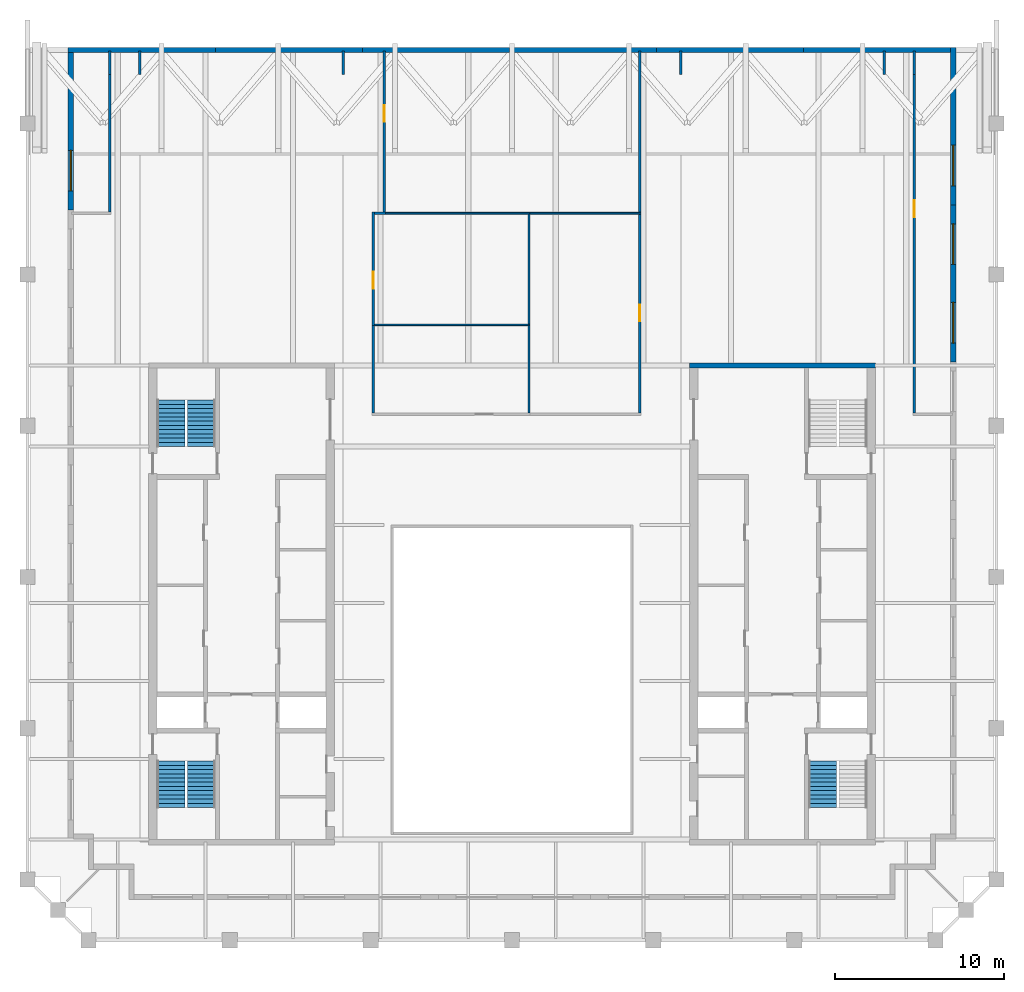
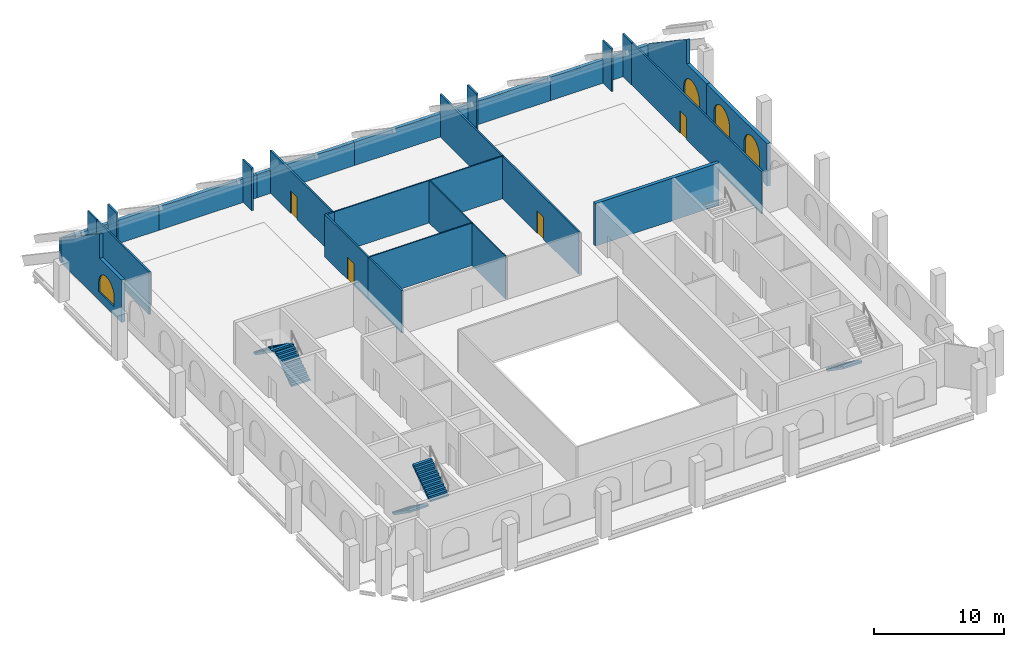
# One storey, part 6 of 8: 29 walls, 5 stair flights, 4 doors, 4 windows, 8 openings, 3 elements without a shape of their own.
"""IFC4 building model written with IfcOpenShell, lengths in metres."""

from ifc_helpers import new_model, si_unit, direction, frame, frame_2d, origin, place, context, subcontext, project, spatial, polyline, rectangle, outline, extrude, material, layer, layer_set, type_object, element, fill, aggregate, save


model = new_model("IFC4")

# Units and contexts
model_context = context("Model", 3, precision=1e-05, world=origin(), true_north=direction((0.0, 1.0)))
body_context = subcontext(model_context, "Body", "Model", "MODEL_VIEW")
ifc_project = project(units=[si_unit("LENGTHUNIT", "METRE"), si_unit("AREAUNIT", "SQUARE_METRE"), si_unit("VOLUMEUNIT", "CUBIC_METRE"), si_unit("PLANEANGLEUNIT", "RADIAN"), si_unit("MASSUNIT", "GRAM", prefix="KILO")], contexts=[model_context])

# Site, building, storey
site_placement = place(None, origin())
site = spatial("IfcSite", under=ifc_project, at=site_placement, CompositionType="ELEMENT")
building_placement = place(site_placement, origin())
building = spatial("IfcBuilding", under=site, at=building_placement, Name="Ogive Exchange Tower", CompositionType="ELEMENT")
storey_placement = place(building_placement, frame((0.0, 0.0, 377.39990234375)))
storey = spatial("IfcBuildingStorey", under=building, at=storey_placement, Name="C03", CompositionType="ELEMENT", Elevation=377.39990234375)

# Walls
ifc_material_1 = material(Name="Fire partition EI 60 150")
ifc_layer_1 = layer(ifc_material_1, 0.14990234375)
ifc_layer_set_1 = layer_set([ifc_layer_1], Name="Fire partition EI 60 150")
wall_type_1 = type_object("IfcWallType", Name="Fire partition EI 60 150", PredefinedType="PARTITIONING", material=ifc_layer_set_1)
wall_1_placement = place(storey_placement, frame((-23.800048828125, 34.675048828125, 0.0), z_axis=(0.0, 0.0, 1.0), x_axis=(0.0, 1.0, 0.0)))
element("IfcWall", 1, at=wall_1_placement, inside=storey, type_object=wall_type_1, Name="C03-PWL-002", PredefinedType="PARTITIONING", context=body_context, shape_type="SweptSolid", body=[
    extrude(rectangle(XDim=8.125, YDim=0.14990234375, at=frame_2d((4.0625, 0.0))), origin(), (0.0, 0.0, 1.0), 4.0),
])
for number, where, z_axis, x_axis, name in (
    (2, (-23.7900390625, 42.800048828125, 0.0), (0.0, 0.0, 1.0), (0.0, 1.0, 0.0), "C03-PWL-003"),
    (3, (-22.010009765625, 44.200927734375, 0.0), (0.0, 0.0, 1.0), (0.0, -1.0, 0.0), "C03-PWL-004"),
    (4, (-9.989990234375, 42.800048828125, 0.0), (0.0, 0.0, 1.0), (0.0, 1.0, 0.0), "C03-PWL-005"),
):
    element("IfcWall", number, at=place(storey_placement, frame(where, z_axis=z_axis, x_axis=x_axis)), inside=storey, type_object=wall_type_1, Name=name, PredefinedType="PARTITIONING", context=body_context, shape_type="SweptSolid", body=[
        extrude(rectangle(XDim=1.40087890625, YDim=0.14990234375, at=frame_2d((0.700439453125, 0.0))), origin(), (0.0, 0.0, 1.0), 4.0),
    ])
wall_2_placement = place(storey_placement, frame((-8.199951171875, 27.949951171875, 0.0), z_axis=(0.0, 0.0, 1.0), x_axis=(0.0, -1.0, 0.0)))
element("IfcWall", 5, at=wall_2_placement, inside=storey, type_object=wall_type_1, Name="C03-PWL-007", PredefinedType="PARTITIONING", context=body_context, shape_type="SweptSolid", body=[
    extrude(rectangle(XDim=5.155029296875, YDim=0.14990234375, at=frame_2d((2.57763671875, 0.0))), origin(), (0.0, 0.0, 1.0), 4.0),
])

# Wall, opening, door
wall_3_placement = place(storey_placement, frame((-8.199951171875, 34.675048828125, 0.0), z_axis=(0.0, 0.0, 1.0), x_axis=(0.0, -1.0, 0.0)))
wall_3 = element("IfcWall", 6, at=wall_3_placement, inside=storey, type_object=wall_type_1, Name="C03-PWL-008", PredefinedType="PARTITIONING", context=body_context, shape_type="SweptSolid", body=[
    extrude(rectangle(XDim=6.72509765625, YDim=0.14990234375, at=frame_2d((3.362548828125, 0.0))), origin(), (0.0, 0.0, 1.0), 4.0),
])
opening_1_placement = place(wall_3_placement, frame((3.52490234375, 0.0, 0.0)))
opening_1 = element("IfcOpeningElement", 7, at=opening_1_placement, cuts=wall_3, Name="Opening C03-I02", PredefinedType="OPENING", context=body_context, shape_type="SweptSolid", body=[
    extrude(rectangle(XDim=1.0, YDim=2.10009765625, at=frame_2d((0.5, 1.050048828125))), frame((0.0, 0.0849609375, 0.0), z_axis=(0.0, -1.0, 0.0), x_axis=(1.0, 0.0, 0.0)), (0.0, 0.0, 1.0), 0.169921875),
])
ifc_material_2 = material(Name="Fire door FD 30S 1000 x 2100")
door_type = type_object("IfcDoorType", Name="Fire door FD 30S 1000 x 2100", OperationType="NOTDEFINED", PredefinedType="DOOR", material=ifc_material_2)
door_1_placement = place(opening_1_placement, origin())
door_1 = element("IfcDoor", 8, at=door_1_placement, inside=storey, type_object=door_type, Name="C03-IDR-002", ObjectType="DT3", OperationType="SINGLE_SWING_LEFT", OverallHeight=2.10009765625, OverallWidth=1.0, PredefinedType="DOOR", context=body_context, shape_type="SweptSolid", body=[
    extrude(rectangle(XDim=1.0, YDim=2.10009765625, at=frame_2d((0.5, 1.050048828125))), frame((0.0, 0.02490234375, 0.0), z_axis=(0.0, -1.0, 0.0), x_axis=(1.0, 0.0, 0.0)), (0.0, 0.0, 1.0), 0.050048828125),
])
fill(opening_1, door_1)

# Wall
wall_4_placement = place(storey_placement, frame((-7.47509765625, 34.60009765625, 0.0), z_axis=(0.0, 0.0, 1.0), x_axis=(-1.0, 0.0, 0.0)))
element("IfcWall", 9, at=wall_4_placement, inside=storey, type_object=wall_type_1, Name="C03-PWL-009", PredefinedType="PARTITIONING", context=body_context, shape_type="SweptSolid", body=[
    extrude(rectangle(XDim=0.64990234375, YDim=0.14990234375, at=frame_2d((0.324951171875, 0.0))), origin(), (0.0, 0.0, 1.0), 4.0),
])

# Wall, opening, door
wall_5_placement = place(storey_placement, frame((-7.550048828125, 44.200927734375, 0.0), z_axis=(0.0, 0.0, 1.0), x_axis=(0.0, -1.0, 0.0)))
wall_5 = element("IfcWall", 10, at=wall_5_placement, inside=storey, type_object=wall_type_1, Name="C03-PWL-011", PredefinedType="PARTITIONING", context=body_context, shape_type="SweptSolid", body=[
    extrude(rectangle(XDim=9.52587890625, YDim=0.14990234375, at=frame_2d((4.762939453125, 0.0))), origin(), (0.0, 0.0, 1.0), 4.0),
])
opening_2_placement = place(wall_5_placement, frame((3.200927734375, 0.0, 0.0)))
opening_2 = element("IfcOpeningElement", 11, at=opening_2_placement, cuts=wall_5, Name="Opening C03-I05", PredefinedType="OPENING", context=body_context, shape_type="SweptSolid", body=[
    extrude(rectangle(XDim=1.0, YDim=2.10009765625, at=frame_2d((0.5, 1.050048828125))), frame((0.0, 0.0849609375, 0.0), z_axis=(0.0, -1.0, 0.0), x_axis=(1.0, 0.0, 0.0)), (0.0, 0.0, 1.0), 0.169921875),
])
door_2_placement = place(opening_2_placement, origin())
door_2 = element("IfcDoor", 12, at=door_2_placement, inside=storey, type_object=door_type, Name="C03-IDR-005", ObjectType="DT3", OperationType="SINGLE_SWING_RIGHT", OverallHeight=2.10009765625, OverallWidth=1.0, PredefinedType="DOOR", context=body_context, shape_type="SweptSolid", body=[
    extrude(rectangle(XDim=1.0, YDim=2.10009765625, at=frame_2d((0.5, 1.050048828125))), frame((0.0, 0.02490234375, 0.0), z_axis=(0.0, -1.0, 0.0), x_axis=(1.0, 0.0, 0.0)), (0.0, 0.0, 1.0), 0.050048828125),
])
fill(opening_2, door_2)

wall_6_placement = place(storey_placement, frame((7.550048828125, 22.794921875, 0.0), z_axis=(0.0, 0.0, 1.0), x_axis=(0.0, 1.0, 0.0)))
wall_6 = element("IfcWall", 13, at=wall_6_placement, inside=storey, type_object=wall_type_1, Name="C03-PWL-017", PredefinedType="PARTITIONING", context=body_context, shape_type="SweptSolid", body=[
    extrude(rectangle(XDim=11.755126953125, YDim=0.14990234375, at=frame_2d((5.87744140625, 0.0))), origin(), (0.0, 0.0, 1.0), 4.0),
])
opening_3_placement = place(wall_6_placement, frame((5.405029296875, 0.0, 0.0)))
opening_3 = element("IfcOpeningElement", 14, at=opening_3_placement, cuts=wall_6, Name="Opening C03-I04", PredefinedType="OPENING", context=body_context, shape_type="SweptSolid", body=[
    extrude(rectangle(XDim=1.0, YDim=2.10009765625, at=frame_2d((0.5, 1.050048828125))), frame((0.0, 0.0849609375, 0.0), z_axis=(0.0, -1.0, 0.0), x_axis=(1.0, 0.0, 0.0)), (0.0, 0.0, 1.0), 0.169921875),
])
door_3_placement = place(opening_3_placement, origin())
door_3 = element("IfcDoor", 15, at=door_3_placement, inside=storey, type_object=door_type, Name="C03-IDR-004", ObjectType="DT3", OperationType="SINGLE_SWING_LEFT", OverallHeight=2.10009765625, OverallWidth=1.0, PredefinedType="DOOR", context=body_context, shape_type="SweptSolid", body=[
    extrude(rectangle(XDim=1.0, YDim=2.10009765625, at=frame_2d((0.5, 1.050048828125))), frame((0.0, 0.02490234375, 0.0), z_axis=(0.0, -1.0, 0.0), x_axis=(1.0, 0.0, 0.0)), (0.0, 0.0, 1.0), 0.050048828125),
])
fill(opening_3, door_3)

# Walls
wall_7_placement = place(storey_placement, frame((7.550048828125, 34.64990234375, 0.0), z_axis=(0.0, 0.0, 1.0), x_axis=(0.0, 1.0, 0.0)))
element("IfcWall", 16, at=wall_7_placement, inside=storey, type_object=wall_type_1, Name="C03-PWL-018", PredefinedType="PARTITIONING", context=body_context, shape_type="SweptSolid", body=[
    extrude(rectangle(XDim=9.551025390625, YDim=0.14990234375, at=frame_2d((4.775390625, 0.0))), origin(), (0.0, 0.0, 1.0), 4.0),
])
for number, where, z_axis, x_axis, name in (
    (17, (9.989990234375, 44.200927734375, 0.0), (0.0, 0.0, 1.0), (0.0, -1.0, 0.0), "C03-PWL-019"),
    (18, (22.010009765625, 42.800048828125, 0.0), (0.0, 0.0, 1.0), (0.0, 1.0, 0.0), "C03-PWL-020"),
    (19, (23.7900390625, 44.200927734375, 0.0), (0.0, 0.0, 1.0), (0.0, -1.0, 0.0), "C03-PWL-021"),
):
    element("IfcWall", number, at=place(storey_placement, frame(where, z_axis=z_axis, x_axis=x_axis)), inside=storey, type_object=wall_type_1, Name=name, PredefinedType="PARTITIONING", context=body_context, shape_type="SweptSolid", body=[
        extrude(rectangle(XDim=1.40087890625, YDim=0.14990234375, at=frame_2d((0.700439453125, 0.0))), origin(), (0.0, 0.0, 1.0), 4.0),
    ])

# Wall, opening, door
wall_8_placement = place(storey_placement, frame((23.800048828125, 42.800048828125, 0.0), z_axis=(0.0, 0.0, 1.0), x_axis=(0.0, -1.0, 0.0)))
wall_8 = element("IfcWall", 20, at=wall_8_placement, inside=storey, type_object=wall_type_1, Name="C03-PWL-023", PredefinedType="PARTITIONING", context=body_context, shape_type="SweptSolid", body=[
    extrude(rectangle(XDim=20.005126953125, YDim=0.14990234375, at=frame_2d((10.00244140625, 0.0))), origin(), (0.0, 0.0, 1.0), 4.0),
])
opening_4_placement = place(wall_8_placement, frame((7.429931640625, 0.0, 0.0)))
opening_4 = element("IfcOpeningElement", 21, at=opening_4_placement, cuts=wall_8, Name="Opening C03-I01", PredefinedType="OPENING", context=body_context, shape_type="SweptSolid", body=[
    extrude(rectangle(XDim=1.0, YDim=2.10009765625, at=frame_2d((0.5, 1.050048828125))), frame((0.0, 0.0849609375, 0.0), z_axis=(0.0, -1.0, 0.0), x_axis=(1.0, 0.0, 0.0)), (0.0, 0.0, 1.0), 0.169921875),
])
door_4_placement = place(opening_4_placement, origin())
door_4 = element("IfcDoor", 22, at=door_4_placement, inside=storey, type_object=door_type, Name="C03-IDR-001", ObjectType="DT3", OperationType="SINGLE_SWING_RIGHT", OverallHeight=2.10009765625, OverallWidth=1.0, PredefinedType="DOOR", context=body_context, shape_type="SweptSolid", body=[
    extrude(rectangle(XDim=1.0, YDim=2.10009765625, at=frame_2d((0.5, 1.050048828125))), frame((0.0, 0.02490234375, 0.0), z_axis=(0.0, -1.0, 0.0), x_axis=(1.0, 0.0, 0.0)), (0.0, 0.0, 1.0), 0.050048828125),
])
fill(opening_4, door_4)

# Walls
ifc_material_3 = material(Name="Partition 100 gypsum")
ifc_layer_2 = layer(ifc_material_3, 0.10009765625)
ifc_layer_set_2 = layer_set([ifc_layer_2], Name="Partition 100 gypsum")
wall_type_2 = type_object("IfcWallType", Name="Partition 100 gypsum", PredefinedType="PARTITIONING", material=ifc_layer_set_2)
wall_9_placement = place(storey_placement, frame((-7.47509765625, 34.60009765625, 0.0), z_axis=(0.0, 0.0, 1.0), x_axis=(1.0, 0.0, 0.0)))
element("IfcWall", 23, at=wall_9_placement, inside=storey, type_object=wall_type_2, Name="C03-PWL-010", PredefinedType="PARTITIONING", context=body_context, shape_type="SweptSolid", body=[
    extrude(rectangle(XDim=8.525146484375, YDim=0.10009765625, at=frame_2d((4.2626953125, 0.0))), origin(), (0.0, 0.0, 1.0), 4.0),
])
wall_10_placement = place(storey_placement, frame((1.050048828125, 28.0, 0.0), z_axis=(0.0, 0.0, 1.0), x_axis=(-1.0, 0.0, 0.0)))
element("IfcWall", 24, at=wall_10_placement, inside=storey, type_object=wall_type_2, Name="C03-PWL-013", PredefinedType="PARTITIONING", context=body_context, shape_type="SweptSolid", body=[
    extrude(rectangle(XDim=9.175048828125, YDim=0.10009765625, at=frame_2d((4.58740234375, 0.0))), origin(), (0.0, 0.0, 1.0), 4.0),
])
wall_11_placement = place(storey_placement, frame((1.0, 27.949951171875, 0.0), z_axis=(0.0, 0.0, 1.0), x_axis=(0.0, -1.0, 0.0)))
element("IfcWall", 25, at=wall_11_placement, inside=storey, type_object=wall_type_2, Name="C03-PWL-014", PredefinedType="PARTITIONING", context=body_context, shape_type="SweptSolid", body=[
    extrude(rectangle(XDim=5.155029296875, YDim=0.10009765625, at=frame_2d((2.57763671875, 0.0))), origin(), (0.0, 0.0, 1.0), 4.0),
])
wall_12_placement = place(storey_placement, frame((1.0, 34.550048828125, 0.0), z_axis=(0.0, 0.0, 1.0), x_axis=(0.0, -1.0, 0.0)))
element("IfcWall", 26, at=wall_12_placement, inside=storey, type_object=wall_type_2, Name="C03-PWL-015", PredefinedType="PARTITIONING", context=body_context, shape_type="SweptSolid", body=[
    extrude(rectangle(XDim=6.5, YDim=0.10009765625, at=frame_2d((3.25, 0.0))), origin(), (0.0, 0.0, 1.0), 4.0),
])
wall_13_placement = place(storey_placement, frame((1.050048828125, 34.60009765625, 0.0), z_axis=(0.0, 0.0, 1.0), x_axis=(1.0, 0.0, 0.0)))
element("IfcWall", 27, at=wall_13_placement, inside=storey, type_object=wall_type_2, Name="C03-PWL-016", PredefinedType="PARTITIONING", context=body_context, shape_type="SweptSolid", body=[
    extrude(rectangle(XDim=6.574951171875, YDim=0.10009765625, at=frame_2d((3.28759765625, 0.0))), origin(), (0.0, 0.0, 1.0), 4.0),
])
ifc_material_4 = material(Name="Concrete C70/85", Category="concrete")
ifc_layer_3 = layer(ifc_material_4, 0.300048828125)
ifc_layer_set_3 = layer_set([ifc_layer_3], Name="RC core wall 300 C70/85")
wall_type_3 = type_object("IfcWallType", Name="RC core wall 300 C70/85", PredefinedType="SHEAR", material=ifc_layer_set_3)
wall_14_placement = place(storey_placement, frame((10.5, 25.60009765625, 0.0), z_axis=(0.0, 0.0, 1.0), x_axis=(1.0, 0.0, 0.0)))
element("IfcWall", 28, at=wall_14_placement, inside=storey, type_object=wall_type_3, Name="E north end wall", PredefinedType="SHEAR", context=body_context, shape_type="SweptSolid", body=[
    extrude(rectangle(XDim=11.0, YDim=0.300048828125, at=frame_2d((5.5, 0.0))), origin(), (0.0, 0.0, 1.0), 4.0),
])

# Wall, openings, windows
ifc_material_5 = material(Name="Precast concrete C40/50", Category="concrete")
ifc_layer_4 = layer(ifc_material_5, 0.300048828125)
ifc_layer_set_4 = layer_set([ifc_layer_4], Name="Zinc-clad crown wall 300")
wall_type_4 = type_object("IfcWallType", Name="Zinc-clad crown wall 300", PredefinedType="STANDARD", material=ifc_layer_set_4)
wall_15_placement = place(storey_placement, frame((26.10009765625, 25.80078125, 0.0), z_axis=(0.0, 0.0, 1.0), x_axis=(0.0, 1.0, 0.0)))
wall_15 = element("IfcWall", 29, at=wall_15_placement, inside=storey, type_object=wall_type_4, Name="Crown wall 16", PredefinedType="STANDARD", context=body_context, shape_type="SweptSolid", body=[
    extrude(rectangle(XDim=9.300048828125, YDim=0.300048828125, at=frame_2d((4.64990234375, 0.0))), origin(), (0.0, 0.0, 1.0), 4.0),
])
opening_5_placement = place(wall_15_placement, frame((1.125, 0.0, 0.800048828125)))
opening_5 = element("IfcOpeningElement", 30, at=opening_5_placement, cuts=wall_15, Name="Opening WC25", PredefinedType="OPENING", context=body_context, shape_type="SweptSolid", body=[
    extrude(outline(polyline([(0.0, 0.0), (2.39990234375, 0.0), (2.39990234375, 1.25), (2.377197265625, 1.48779296875), (2.3095703125, 1.717041015625), (2.19970703125, 1.928955078125), (2.05126953125, 2.116455078125), (1.8701171875, 2.272216796875), (1.662841796875, 2.390625), (1.4365234375, 2.467529296875), (1.199951171875, 2.5), (0.96337890625, 2.467529296875), (0.737060546875, 2.390625), (0.52978515625, 2.272216796875), (0.3486328125, 2.116455078125), (0.2001953125, 1.928955078125), (0.09033203125, 1.717041015625), (0.022705078125, 1.48779296875), (0.0, 1.25), (0.0, 0.0)])), frame((0.0, 0.159912109375, 0.0), z_axis=(0.0, -1.0, 0.0), x_axis=(1.0, 0.0, 0.0)), (0.0, 0.0, 1.0), 0.320068359375),
])
opening_6_placement = place(wall_15_placement, frame((5.775146484375, 0.0, 0.800048828125)))
opening_6 = element("IfcOpeningElement", 31, at=opening_6_placement, cuts=wall_15, Name="Opening WC25", PredefinedType="OPENING", context=body_context, shape_type="SweptSolid", body=[
    extrude(outline(polyline([(0.0, 0.0), (2.39990234375, 0.0), (2.39990234375, 1.25), (2.377197265625, 1.48779296875), (2.3095703125, 1.717041015625), (2.19970703125, 1.928955078125), (2.05126953125, 2.116455078125), (1.8701171875, 2.272216796875), (1.662841796875, 2.390625), (1.4365234375, 2.467529296875), (1.199951171875, 2.5), (0.96337890625, 2.467529296875), (0.737060546875, 2.390625), (0.52978515625, 2.272216796875), (0.3486328125, 2.116455078125), (0.2001953125, 1.928955078125), (0.09033203125, 1.717041015625), (0.022705078125, 1.48779296875), (0.0, 1.25), (0.0, 0.0)])), frame((0.0, 0.159912109375, 0.0), z_axis=(0.0, -1.0, 0.0), x_axis=(1.0, 0.0, 0.0)), (0.0, 0.0, 1.0), 0.320068359375),
])
ifc_material_6 = material(Name="Clear glass in bronze frame", Category="glass")
window_type_1 = type_object("IfcWindowType", Name="Crown lancet window 2400 x 2500", PartitioningType="DOUBLE_PANEL_VERTICAL", PredefinedType="WINDOW", material=ifc_material_6)
window_1_placement = place(opening_5_placement, origin())
window_1 = element("IfcWindow", 32, at=window_1_placement, inside=storey, type_object=window_type_1, Name="Crown lancet 16.1", OverallHeight=2.5, OverallWidth=2.39990234375, PartitioningType="DOUBLE_PANEL_VERTICAL", PredefinedType="WINDOW", context=body_context, shape_type="SweptSolid", body=[
    extrude(outline(polyline([(0.0, 0.0), (2.39990234375, 0.0), (2.39990234375, 1.25), (2.377197265625, 1.48779296875), (2.3095703125, 1.717041015625), (2.19970703125, 1.928955078125), (2.05126953125, 2.116455078125), (1.8701171875, 2.272216796875), (1.662841796875, 2.390625), (1.4365234375, 2.467529296875), (1.199951171875, 2.5), (0.96337890625, 2.467529296875), (0.737060546875, 2.390625), (0.52978515625, 2.272216796875), (0.3486328125, 2.116455078125), (0.2001953125, 1.928955078125), (0.09033203125, 1.717041015625), (0.022705078125, 1.48779296875), (0.0, 1.25), (0.0, 0.0)])), frame((0.0, 0.030029296875, 0.0), z_axis=(0.0, -1.0, 0.0), x_axis=(1.0, 0.0, 0.0)), (0.0, 0.0, 1.0), 0.06005859375),
])
fill(opening_5, window_1)
window_2_placement = place(opening_6_placement, origin())
window_2 = element("IfcWindow", 33, at=window_2_placement, inside=storey, type_object=window_type_1, Name="Crown lancet 16.2", OverallHeight=2.5, OverallWidth=2.39990234375, PartitioningType="DOUBLE_PANEL_VERTICAL", PredefinedType="WINDOW", context=body_context, shape_type="SweptSolid", body=[
    extrude(outline(polyline([(0.0, 0.0), (2.39990234375, 0.0), (2.39990234375, 1.25), (2.377197265625, 1.48779296875), (2.3095703125, 1.717041015625), (2.19970703125, 1.928955078125), (2.05126953125, 2.116455078125), (1.8701171875, 2.272216796875), (1.662841796875, 2.390625), (1.4365234375, 2.467529296875), (1.199951171875, 2.5), (0.96337890625, 2.467529296875), (0.737060546875, 2.390625), (0.52978515625, 2.272216796875), (0.3486328125, 2.116455078125), (0.2001953125, 1.928955078125), (0.09033203125, 1.717041015625), (0.022705078125, 1.48779296875), (0.0, 1.25), (0.0, 0.0)])), frame((0.0, 0.030029296875, 0.0), z_axis=(0.0, -1.0, 0.0), x_axis=(1.0, 0.0, 0.0)), (0.0, 0.0, 1.0), 0.06005859375),
])
fill(opening_6, window_2)

# Wall, opening, window
wall_16_placement = place(storey_placement, frame((26.10009765625, 35.100830078125, 0.0), z_axis=(0.0, 0.0, 1.0), x_axis=(0.0, 1.0, 0.0)))
wall_16 = element("IfcWall", 34, at=wall_16_placement, inside=storey, type_object=wall_type_4, Name="Crown wall 17", PredefinedType="STANDARD", context=body_context, shape_type="SweptSolid", body=[
    extrude(outline(polyline([(0.0, 0.0), (9.30029296875, 0.0), (9.30029296875, 2.098388671875), (6.481201171875, 4.0), (3.093505859375, 6.28515625), (3.073486328125, 6.2978515625), (3.073486328125, 4.0), (0.0, 4.0), (0.0, 0.0)])), frame((0.0, 0.14990234375, 0.0), z_axis=(0.0, -1.0, 0.0), x_axis=(1.0, 0.0, 0.0)), (0.0, 0.0, 1.0), 0.300048828125),
])
opening_7_placement = place(wall_16_placement, frame((1.125, 0.0, 0.800048828125)))
opening_7 = element("IfcOpeningElement", 35, at=opening_7_placement, cuts=wall_16, Name="Opening WC25A", PredefinedType="OPENING", context=body_context, shape_type="SweptSolid", body=[
    extrude(outline(polyline([(0.0, 0.0), (2.39990234375, 0.0), (2.39990234375, 0.85009765625), (2.377197265625, 1.087890625), (2.3095703125, 1.317138671875), (2.19970703125, 1.529052734375), (2.05126953125, 1.716552734375), (1.8701171875, 1.872314453125), (1.662841796875, 1.99072265625), (1.4365234375, 2.067626953125), (1.199951171875, 2.10009765625), (0.96337890625, 2.067626953125), (0.737060546875, 1.99072265625), (0.52978515625, 1.872314453125), (0.3486328125, 1.716552734375), (0.2001953125, 1.529052734375), (0.09033203125, 1.317138671875), (0.022705078125, 1.087890625), (0.0, 0.85009765625), (0.0, 0.0)])), frame((0.0, 0.159912109375, 0.0), z_axis=(0.0, -1.0, 0.0), x_axis=(1.0, 0.0, 0.0)), (0.0, 0.0, 1.0), 0.320068359375),
])
window_type_2 = type_object("IfcWindowType", Name="Crown lancet window 2400 x 2100", PartitioningType="DOUBLE_PANEL_VERTICAL", PredefinedType="WINDOW", material=ifc_material_6)
window_3_placement = place(opening_7_placement, origin())
window_3 = element("IfcWindow", 36, at=window_3_placement, inside=storey, type_object=window_type_2, Name="Crown lancet 17.1", OverallHeight=2.10009765625, OverallWidth=2.39990234375, PartitioningType="DOUBLE_PANEL_VERTICAL", PredefinedType="WINDOW", context=body_context, shape_type="SweptSolid", body=[
    extrude(outline(polyline([(0.0, 0.0), (2.39990234375, 0.0), (2.39990234375, 0.85009765625), (2.377197265625, 1.087890625), (2.3095703125, 1.317138671875), (2.19970703125, 1.529052734375), (2.05126953125, 1.716552734375), (1.8701171875, 1.872314453125), (1.662841796875, 1.99072265625), (1.4365234375, 2.067626953125), (1.199951171875, 2.10009765625), (0.96337890625, 2.067626953125), (0.737060546875, 1.99072265625), (0.52978515625, 1.872314453125), (0.3486328125, 1.716552734375), (0.2001953125, 1.529052734375), (0.09033203125, 1.317138671875), (0.022705078125, 1.087890625), (0.0, 0.85009765625), (0.0, 0.0)])), frame((0.0, 0.030029296875, 0.0), z_axis=(0.0, -1.0, 0.0), x_axis=(1.0, 0.0, 0.0)), (0.0, 0.0, 1.0), 0.06005859375),
])
fill(opening_7, window_3)

# Walls
for number, where, z_axis, x_axis, name in (
    (37, (25.949951171875, 44.251220703125, 0.0), (0.0, 0.0, 1.0), (-1.0, 0.0, 0.0), "Crown wall 18"),
    (38, (17.25, 44.251220703125, 0.0), (0.0, 0.0, 1.0), (-1.0, 0.0, 0.0), "Crown wall 19"),
    (39, (8.550048828125, 44.251220703125, 0.0), (0.0, 0.0, 1.0), (-1.0, 0.0, 0.0), "Crown wall 20"),
):
    element("IfcWall", number, at=place(storey_placement, frame(where, z_axis=z_axis, x_axis=x_axis)), inside=storey, type_object=wall_type_4, Name=name, PredefinedType="STANDARD", context=body_context, shape_type="SweptSolid", body=[
        extrude(rectangle(XDim=8.699951171875, YDim=0.300048828125, at=frame_2d((4.35009765625, 0.0))), origin(), (0.0, 0.0, 1.0), 2.19970703125),
    ])
wall_17_placement = place(storey_placement, frame((-0.14990234375, 44.251220703125, 0.0), z_axis=(0.0, 0.0, 1.0), x_axis=(-1.0, 0.0, 0.0)))
element("IfcWall", 40, at=wall_17_placement, inside=storey, type_object=wall_type_4, Name="Crown wall 21", PredefinedType="STANDARD", context=body_context, shape_type="SweptSolid", body=[
    extrude(rectangle(XDim=8.7001953125, YDim=0.300048828125, at=frame_2d((4.35009765625, 0.0))), origin(), (0.0, 0.0, 1.0), 2.19970703125),
])
for number, where, z_axis, x_axis, name in (
    (41, (-8.85009765625, 44.251220703125, 0.0), (0.0, 0.0, 1.0), (-1.0, 0.0, 0.0), "Crown wall 22"),
    (42, (-17.550048828125, 44.251220703125, 0.0), (0.0, 0.0, 1.0), (-1.0, 0.0, 0.0), "Crown wall 23"),
):
    element("IfcWall", number, at=place(storey_placement, frame(where, z_axis=z_axis, x_axis=x_axis)), inside=storey, type_object=wall_type_4, Name=name, PredefinedType="STANDARD", context=body_context, shape_type="SweptSolid", body=[
        extrude(rectangle(XDim=8.699951171875, YDim=0.300048828125, at=frame_2d((4.35009765625, 0.0))), origin(), (0.0, 0.0, 1.0), 2.19970703125),
    ])

# Wall, opening, window
wall_18_placement = place(storey_placement, frame((-26.10009765625, 44.10107421875, 0.0), z_axis=(0.0, 0.0, 1.0), x_axis=(0.0, -1.0, 0.0)))
wall_18 = element("IfcWall", 43, at=wall_18_placement, inside=storey, type_object=wall_type_4, Name="Crown wall 24", PredefinedType="STANDARD", context=body_context, shape_type="SweptSolid", body=[
    extrude(outline(polyline([(0.0, 0.0), (9.30029296875, 0.0), (9.30029296875, 4.0), (5.9267578125, 4.0), (5.9267578125, 6.2978515625), (5.90673828125, 6.28515625), (2.519287109375, 4.0), (0.0, 2.30078125), (0.0, 0.0)])), frame((0.0, 0.14990234375, 0.0), z_axis=(0.0, -1.0, 0.0), x_axis=(1.0, 0.0, 0.0)), (0.0, 0.0, 1.0), 0.300048828125),
])
opening_8_placement = place(wall_18_placement, frame((5.775146484375, 0.0, 0.800048828125)))
opening_8 = element("IfcOpeningElement", 44, at=opening_8_placement, cuts=wall_18, Name="Opening WC25A", PredefinedType="OPENING", context=body_context, shape_type="SweptSolid", body=[
    extrude(outline(polyline([(0.0, 0.0), (2.39990234375, 0.0), (2.39990234375, 0.85009765625), (2.377197265625, 1.087890625), (2.3095703125, 1.317138671875), (2.19970703125, 1.529052734375), (2.05126953125, 1.716552734375), (1.8701171875, 1.872314453125), (1.662841796875, 1.99072265625), (1.4365234375, 2.067626953125), (1.199951171875, 2.10009765625), (0.96337890625, 2.067626953125), (0.737060546875, 1.99072265625), (0.52978515625, 1.872314453125), (0.3486328125, 1.716552734375), (0.2001953125, 1.529052734375), (0.09033203125, 1.317138671875), (0.022705078125, 1.087890625), (0.0, 0.85009765625), (0.0, 0.0)])), frame((0.0, 0.159912109375, 0.0), z_axis=(0.0, -1.0, 0.0), x_axis=(1.0, 0.0, 0.0)), (0.0, 0.0, 1.0), 0.320068359375),
])
window_4_placement = place(opening_8_placement, origin())
window_4 = element("IfcWindow", 45, at=window_4_placement, inside=storey, type_object=window_type_2, Name="Crown lancet 24.2", OverallHeight=2.10009765625, OverallWidth=2.39990234375, PartitioningType="DOUBLE_PANEL_VERTICAL", PredefinedType="WINDOW", context=body_context, shape_type="SweptSolid", body=[
    extrude(outline(polyline([(0.0, 0.0), (2.39990234375, 0.0), (2.39990234375, 0.85009765625), (2.377197265625, 1.087890625), (2.3095703125, 1.317138671875), (2.19970703125, 1.529052734375), (2.05126953125, 1.716552734375), (1.8701171875, 1.872314453125), (1.662841796875, 1.99072265625), (1.4365234375, 2.067626953125), (1.199951171875, 2.10009765625), (0.96337890625, 2.067626953125), (0.737060546875, 1.99072265625), (0.52978515625, 1.872314453125), (0.3486328125, 1.716552734375), (0.2001953125, 1.529052734375), (0.09033203125, 1.317138671875), (0.022705078125, 1.087890625), (0.0, 0.85009765625), (0.0, 0.0)])), frame((0.0, 0.030029296875, 0.0), z_axis=(0.0, -1.0, 0.0), x_axis=(1.0, 0.0, 0.0)), (0.0, 0.0, 1.0), 0.06005859375),
])
fill(opening_8, window_4)

# Stair, stair flights
ifc_material_7 = material(Name="Concrete C40/50", Category="concrete")
stair_type = type_object("IfcStairType", Name="Exit stair 1650 wide", PredefinedType="HALF_TURN_STAIR", material=ifc_material_7)
stair_1_placement = place(storey_placement, origin())
stair_1 = element("IfcStair", 46, at=stair_1_placement, inside=storey, type_object=stair_type, Name="C03 exit stair ST1", PredefinedType="HALF_TURN_STAIR")
stair_flight_type = type_object("IfcStairFlightType", Name="Stair flight 1650 wide", PredefinedType="STRAIGHT", material=ifc_material_7)
stair_flight_1_placement = place(storey_placement, frame((-20.175048828125, 2.199951171875, 0.0), z_axis=(0.0, 0.0, 1.0), x_axis=(0.0, -1.0, 0.0)))
stair_flight_1 = element("IfcStairFlight", 47, at=stair_flight_1_placement, type_object=stair_flight_type, Name="ST1 flight 1", NumberOfRisers=12, NumberOfTreads=11, PredefinedType="STRAIGHT", RiserHeight=0.175, TreadLength=0.25, context=body_context, shape_type="SweptSolid", body=[
    extrude(outline(polyline([(0.0, 0.0), (0.0, 0.175048828125), (0.25, 0.175048828125), (0.25, 0.35009765625), (0.5, 0.35009765625), (0.5, 0.52490234375), (0.75, 0.52490234375), (0.75, 0.699951171875), (1.0, 0.699951171875), (1.0, 0.875), (1.25, 0.875), (1.25, 1.050048828125), (1.5, 1.050048828125), (1.5, 1.22509765625), (1.75, 1.22509765625), (1.75, 1.39990234375), (2.0, 1.39990234375), (2.0, 1.574951171875), (2.25, 1.574951171875), (2.25, 1.75), (2.5, 1.75), (2.5, 1.925048828125), (2.75, 1.925048828125), (2.75, 2.10009765625), (2.75, 1.741943359375), (0.261474609375, 0.0), (0.0, 0.0)])), frame((0.0, 0.824951171875, 0.0), z_axis=(0.0, -1.0, 0.0), x_axis=(1.0, 0.0, 0.0)), (0.0, 0.0, 1.0), 1.64990234375),
])
stair_flight_2_placement = place(storey_placement, frame((-18.375, -0.550048828125, 2.10009765625), z_axis=(0.0, 0.0, 1.0), x_axis=(0.0, 1.0, 0.0)))
stair_flight_2 = element("IfcStairFlight", 48, at=stair_flight_2_placement, type_object=stair_flight_type, Name="ST1 flight 2", NumberOfRisers=12, NumberOfTreads=11, PredefinedType="STRAIGHT", RiserHeight=0.175, TreadLength=0.25, context=body_context, shape_type="SweptSolid", body=[
    extrude(outline(polyline([(0.0, 0.0), (0.0, 0.175048828125), (0.25, 0.175048828125), (0.25, 0.35009765625), (0.5, 0.35009765625), (0.5, 0.52490234375), (0.75, 0.52490234375), (0.75, 0.699951171875), (1.0, 0.699951171875), (1.0, 0.875), (1.25, 0.875), (1.25, 1.050048828125), (1.5, 1.050048828125), (1.5, 1.22509765625), (1.75, 1.22509765625), (1.75, 1.39990234375), (2.0, 1.39990234375), (2.0, 1.574951171875), (2.25, 1.574951171875), (2.25, 1.75), (2.5, 1.75), (2.5, 1.925048828125), (2.75, 1.925048828125), (2.75, 2.10009765625), (2.75, 1.741943359375), (0.261474609375, 0.0), (0.0, 0.0)])), frame((0.0, 0.824951171875, 0.0), z_axis=(0.0, -1.0, 0.0), x_axis=(1.0, 0.0, 0.0)), (0.0, 0.0, 1.0), 1.64990234375),
])
aggregate(stair_1, [stair_flight_1, stair_flight_2])

stair_2_placement = place(storey_placement, origin())
stair_2 = element("IfcStair", 49, at=stair_2_placement, inside=storey, type_object=stair_type, Name="C03 exit stair ST2", PredefinedType="HALF_TURN_STAIR")
stair_flight_3_placement = place(storey_placement, frame((-18.375, 20.800048828125, 0.0), z_axis=(0.0, 0.0, 1.0), x_axis=(0.0, 1.0, 0.0)))
stair_flight_3 = element("IfcStairFlight", 50, at=stair_flight_3_placement, type_object=stair_flight_type, Name="ST2 flight 1", NumberOfRisers=12, NumberOfTreads=11, PredefinedType="STRAIGHT", RiserHeight=0.175, TreadLength=0.25, context=body_context, shape_type="SweptSolid", body=[
    extrude(outline(polyline([(0.0, 0.0), (0.0, 0.175048828125), (0.25, 0.175048828125), (0.25, 0.35009765625), (0.5, 0.35009765625), (0.5, 0.52490234375), (0.75, 0.52490234375), (0.75, 0.699951171875), (1.0, 0.699951171875), (1.0, 0.875), (1.25, 0.875), (1.25, 1.050048828125), (1.5, 1.050048828125), (1.5, 1.22509765625), (1.75, 1.22509765625), (1.75, 1.39990234375), (2.0, 1.39990234375), (2.0, 1.574951171875), (2.25, 1.574951171875), (2.25, 1.75), (2.5, 1.75), (2.5, 1.925048828125), (2.75, 1.925048828125), (2.75, 2.10009765625), (2.75, 1.741943359375), (0.261474609375, 0.0), (0.0, 0.0)])), frame((0.0, 0.824951171875, 0.0), z_axis=(0.0, -1.0, 0.0), x_axis=(1.0, 0.0, 0.0)), (0.0, 0.0, 1.0), 1.64990234375),
])
stair_flight_4_placement = place(storey_placement, frame((-20.175048828125, 23.550048828125, 2.10009765625), z_axis=(0.0, 0.0, 1.0), x_axis=(0.0, -1.0, 0.0)))
stair_flight_4 = element("IfcStairFlight", 51, at=stair_flight_4_placement, type_object=stair_flight_type, Name="ST2 flight 2", NumberOfRisers=12, NumberOfTreads=11, PredefinedType="STRAIGHT", RiserHeight=0.175, TreadLength=0.25, context=body_context, shape_type="SweptSolid", body=[
    extrude(outline(polyline([(0.0, 0.0), (0.0, 0.175048828125), (0.25, 0.175048828125), (0.25, 0.35009765625), (0.5, 0.35009765625), (0.5, 0.52490234375), (0.75, 0.52490234375), (0.75, 0.699951171875), (1.0, 0.699951171875), (1.0, 0.875), (1.25, 0.875), (1.25, 1.050048828125), (1.5, 1.050048828125), (1.5, 1.22509765625), (1.75, 1.22509765625), (1.75, 1.39990234375), (2.0, 1.39990234375), (2.0, 1.574951171875), (2.25, 1.574951171875), (2.25, 1.75), (2.5, 1.75), (2.5, 1.925048828125), (2.75, 1.925048828125), (2.75, 2.10009765625), (2.75, 1.741943359375), (0.261474609375, 0.0), (0.0, 0.0)])), frame((0.0, 0.824951171875, 0.0), z_axis=(0.0, -1.0, 0.0), x_axis=(1.0, 0.0, 0.0)), (0.0, 0.0, 1.0), 1.64990234375),
])
aggregate(stair_2, [stair_flight_3, stair_flight_4])

# Stair, stair flight
stair_3_placement = place(storey_placement, origin())
stair_3 = element("IfcStair", 52, at=stair_3_placement, inside=storey, type_object=stair_type, Name="C03 exit stair ST3", PredefinedType="HALF_TURN_STAIR")
stair_flight_5_placement = place(storey_placement, frame((18.375, 2.199951171875, 0.0), z_axis=(0.0, 0.0, 1.0), x_axis=(0.0, -1.0, 0.0)))
stair_flight_5 = element("IfcStairFlight", 53, at=stair_flight_5_placement, type_object=stair_flight_type, Name="ST3 flight 1", NumberOfRisers=12, NumberOfTreads=11, PredefinedType="STRAIGHT", RiserHeight=0.175, TreadLength=0.25, context=body_context, shape_type="SweptSolid", body=[
    extrude(outline(polyline([(0.0, 0.0), (0.0, 0.175048828125), (0.25, 0.175048828125), (0.25, 0.35009765625), (0.5, 0.35009765625), (0.5, 0.52490234375), (0.75, 0.52490234375), (0.75, 0.699951171875), (1.0, 0.699951171875), (1.0, 0.875), (1.25, 0.875), (1.25, 1.050048828125), (1.5, 1.050048828125), (1.5, 1.22509765625), (1.75, 1.22509765625), (1.75, 1.39990234375), (2.0, 1.39990234375), (2.0, 1.574951171875), (2.25, 1.574951171875), (2.25, 1.75), (2.5, 1.75), (2.5, 1.925048828125), (2.75, 1.925048828125), (2.75, 2.10009765625), (2.75, 1.741943359375), (0.261474609375, 0.0), (0.0, 0.0)])), frame((0.0, 0.824951171875, 0.0), z_axis=(0.0, -1.0, 0.0), x_axis=(1.0, 0.0, 0.0)), (0.0, 0.0, 1.0), 1.64990234375),
])
aggregate(stair_3, [stair_flight_5])

save(model, "model.ifc")
